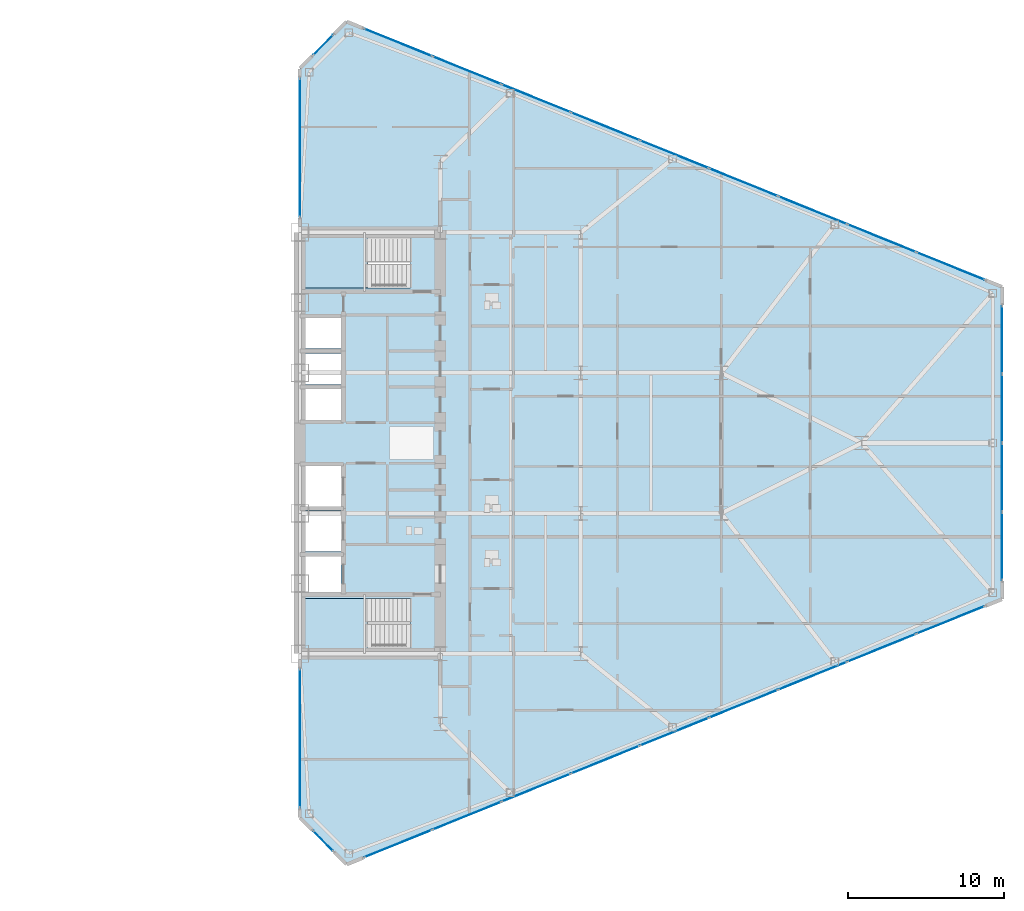
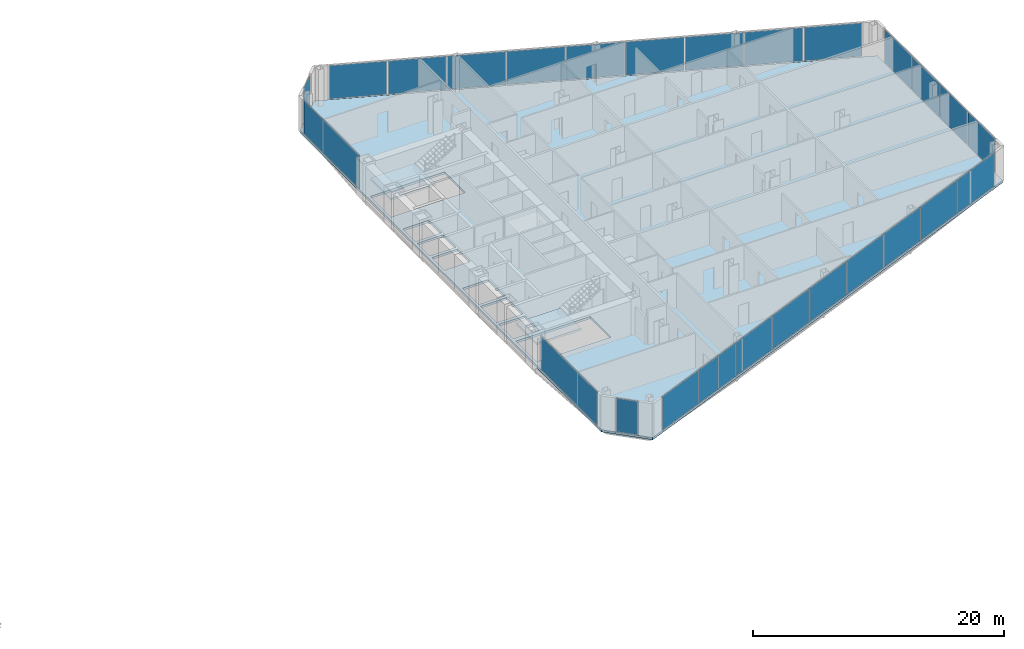
# One storey, part 16 of 25: 26 plates, 3 slabs, 9 elements without a shape of their own.
"""IFC4 building model written with IfcOpenShell, lengths in metres."""

from ifc_helpers import new_model, si_unit, direction, frame, origin, origin_2d, place, context, subcontext, project, spatial, polyline, rectangle, outline, extrude, source, transform, mapped, material, layer, layer_set, type_object, type_shapes, element, aggregate, save


model = new_model("IFC4")

# Units and contexts
model_context = context("Model", 3, precision=1e-05, world=origin(), true_north=direction((0.0, 1.0)))
body_context = subcontext(model_context, "Body", "Model", "MODEL_VIEW")
ifc_project = project(units=[si_unit("LENGTHUNIT", "METRE"), si_unit("AREAUNIT", "SQUARE_METRE"), si_unit("VOLUMEUNIT", "CUBIC_METRE"), si_unit("PLANEANGLEUNIT", "RADIAN"), si_unit("MASSUNIT", "GRAM", prefix="KILO")], contexts=[model_context])

# Site, building, storey
site_placement = place(None, origin())
site = spatial("IfcSite", under=ifc_project, at=site_placement, CompositionType="ELEMENT")
building_placement = place(site_placement, origin())
building = spatial("IfcBuilding", under=site, at=building_placement, Name="Seokmaru Belvedere", CompositionType="ELEMENT")
storey_placement = place(building_placement, frame((0.0, 0.0, 33.300048828125)))
storey = spatial("IfcBuildingStorey", under=building, at=storey_placement, Name="L08", CompositionType="ELEMENT", Elevation=33.300048828125)

# Stair, slab
ifc_material_1 = material(Name="Concrete C40 (40 MPa)", Category="concrete")
stair_type = type_object("IfcStairType", Name="Typical Tower Core Dog-Leg Stair 3600", PredefinedType="TWO_STRAIGHT_RUN_STAIR", material=ifc_material_1)
stair_1_placement = place(storey_placement, origin())
stair_1 = element("IfcStair", 1, at=stair_1_placement, inside=storey, type_object=stair_type, Name="L08 Special Escape Stair ST-E1", PredefinedType="TWO_STRAIGHT_RUN_STAIR")
ifc_layer_1 = layer(ifc_material_1, 0.199951171875)
ifc_layer_set_1 = layer_set([ifc_layer_1], Name="Concrete C40 (40 MPa)")
slab_type_1 = type_object("IfcSlabType", Name="Reinforced Concrete Stair Landing Slab 200", PredefinedType="LANDING", material=ifc_layer_set_1)
slab_1_placement = place(storey_placement, frame((0.0, 0.0, 1.599853515625)))
slab_1 = element("IfcSlab", 2, at=slab_1_placement, type_object=slab_type_1, Name="ST-E1 landing 1", PredefinedType="LANDING", context=body_context, shape_type="SweptSolid", body=[
    extrude(outline(polyline([(27.760009765625, -13.239990234375), (31.8798828125, -13.239990234375), (31.8798828125, -9.949951171875), (27.760009765625, -9.949951171875), (27.760009765625, -13.239990234375)])), origin(), (0.0, 0.0, 1.0), 0.2001953125),
])
aggregate(stair_1, [slab_1])

stair_2_placement = place(storey_placement, origin())
stair_2 = element("IfcStair", 3, at=stair_2_placement, inside=storey, type_object=stair_type, Name="L08 Special Escape Stair ST-E2", PredefinedType="TWO_STRAIGHT_RUN_STAIR")
slab_2_placement = place(storey_placement, frame((0.0, 0.0, 1.599853515625)))
slab_2 = element("IfcSlab", 4, at=slab_2_placement, type_object=slab_type_1, Name="ST-E2 landing 1", PredefinedType="LANDING", context=body_context, shape_type="SweptSolid", body=[
    extrude(outline(polyline([(27.760009765625, 9.949951171875), (31.8798828125, 9.949951171875), (31.8798828125, 13.239990234375), (27.760009765625, 13.239990234375), (27.760009765625, 9.949951171875)])), origin(), (0.0, 0.0, 1.0), 0.2001953125),
])
aggregate(stair_2, [slab_2])

# Slab
ifc_layer_2 = layer(ifc_material_1, 0.219970703125)
ifc_layer_set_2 = layer_set([ifc_layer_2], Name="Concrete C40 (40 MPa)")
slab_type_2 = type_object("IfcSlabType", Name="Typical Tower Composite Floor Slab 220", PredefinedType="FLOOR", material=ifc_layer_set_2)
slab_3_placement = place(storey_placement, frame((0.0, 0.0, -0.219970703125)))
element("IfcSlab", 5, at=slab_3_placement, inside=storey, type_object=slab_type_2, Name="L08 East Leg Floor Slab", PredefinedType="FLOOR", context=body_context, shape_type="SweptSolid", body=[
    extrude(outline(polyline([(30.5, -27.0), (72.5, -10.0), (72.5, 10.0), (30.5, 27.0), (27.5, 24.0), (27.5, -24.0), (30.5, -27.0)]), holes=[polyline([(27.75, -13.25), (34.60009765625, -13.25), (34.60009765625, -9.949951171875), (27.75, -9.949951171875), (27.75, -13.25)]), polyline([(27.75, 9.949951171875), (34.60009765625, 9.949951171875), (34.60009765625, 13.25), (27.75, 13.25), (27.75, 9.949951171875)]), polyline([(27.75, -9.550048828125), (30.14990234375, -9.550048828125), (30.14990234375, -7.25), (27.75, -7.25), (27.75, -9.550048828125)]), polyline([(27.75, -6.949951171875), (30.14990234375, -6.949951171875), (30.14990234375, -4.35009765625), (27.75, -4.35009765625), (27.75, -6.949951171875)]), polyline([(27.75, -4.050048828125), (30.14990234375, -4.050048828125), (30.14990234375, -1.449951171875), (27.75, -1.449951171875), (27.75, -4.050048828125)]), polyline([(27.75, 1.449951171875), (30.14990234375, 1.449951171875), (30.14990234375, 3.449951171875), (27.75, 3.449951171875), (27.75, 1.449951171875)]), polyline([(27.75, 3.75), (30.14990234375, 3.75), (30.14990234375, 5.75), (27.75, 5.75), (27.75, 3.75)]), polyline([(27.75, 6.050048828125), (30.14990234375, 6.050048828125), (30.14990234375, 8.050048828125), (27.75, 8.050048828125), (27.75, 6.050048828125)])]), origin(), (0.0, 0.0, 1.0), 0.219970703125),
])

# Curtain wall, plate
ifc_material_2 = material(Name="Bronze Triple Insulating Glass", Category="glass")
ifc_layer_3 = layer(ifc_material_2, 0.2099609375)
ifc_layer_set_3 = layer_set([ifc_layer_3], Name="Bronze Triple Insulating Glass")
curtain_wall_type = type_object("IfcCurtainWallType", Name="Low-Rise Faceted Crystal Curtain Wall System CW-2", PredefinedType="NOTDEFINED", material=ifc_layer_set_3)
curtain_wall_1_placement = place(storey_placement, origin())
curtain_wall_1 = element("IfcCurtainWall", 6, at=curtain_wall_1_placement, inside=storey, type_object=curtain_wall_type, Name="L08 Curtain Wall ESP_1", PredefinedType="NOTDEFINED")
ifc_layer_4 = layer(ifc_material_2, 0.035888671875)
ifc_layer_set_4 = layer_set([ifc_layer_4], Name="Bronze Triple Insulating Glass")
plate_type = type_object("IfcPlateType", Name="Bronze Triple Vision Glazing Panel 36", PredefinedType="CURTAIN_PANEL", material=ifc_layer_set_4)
shared_shape_1 = source(origin(), body_context, "Body", "SweptSolid", [
    extrude(rectangle(XDim=8.85009765625, YDim=0.035888671875, at=origin_2d()), origin(), (0.0, 0.0, 1.0), 3.239990234375),
])
plate_1_placement = place(storey_placement, frame((27.5, -18.929931640625, 0.06982421875), z_axis=(0.0, 0.0, 1.0), x_axis=(0.0, -1.0, 0.0)))
plate_1 = element("IfcPlate", 7, at=plate_1_placement, type_object=plate_type, Name="CW:L08:ESP_1 Glazing Panel 1-1", PredefinedType="CURTAIN_PANEL", context=body_context, shape_type="MappedRepresentation", body=[
    mapped(shared_shape_1, transform((0.0, 0.0, 0.0), scale=1.0)),
])
aggregate(curtain_wall_1, [plate_1])

curtain_wall_2_placement = place(storey_placement, origin())
curtain_wall_2 = element("IfcCurtainWall", 8, at=curtain_wall_2_placement, inside=storey, type_object=curtain_wall_type, Name="L08 Curtain Wall ESP_2", PredefinedType="NOTDEFINED")
plate_2_placement = place(storey_placement, frame((27.5, 18.929931640625, 0.06982421875), z_axis=(0.0, 0.0, 1.0), x_axis=(0.0, -1.0, 0.0)))
plate_2 = element("IfcPlate", 9, at=plate_2_placement, type_object=plate_type, Name="CW:L08:ESP_2 Glazing Panel 1-1", PredefinedType="CURTAIN_PANEL", context=body_context, shape_type="MappedRepresentation", body=[
    mapped(shared_shape_1, transform((0.0, 0.0, 0.0), scale=1.0)),
])
aggregate(curtain_wall_2, [plate_2])

curtain_wall_3_placement = place(storey_placement, origin())
curtain_wall_3 = element("IfcCurtainWall", 10, at=curtain_wall_3_placement, inside=storey, type_object=curtain_wall_type, Name="L08 Curtain Wall EF4", PredefinedType="NOTDEFINED")
shared_shape_2 = source(origin(), body_context, "Body", "SweptSolid", [
    extrude(rectangle(XDim=1.79248046875, YDim=0.035888671875, at=origin_2d()), origin(), (0.0, 0.0, 1.0), 3.239990234375),
])
plate_3_placement = place(storey_placement, frame((29.0, 25.5, 0.06982421875), z_axis=(0.0, 0.0, 1.0), x_axis=(-0.707106781187, -0.707106781187, 0.0)))
plate_3 = element("IfcPlate", 11, at=plate_3_placement, type_object=plate_type, Name="CW:L08:EF4 Glazing Panel 1-1", PredefinedType="CURTAIN_PANEL", context=body_context, shape_type="MappedRepresentation", body=[
    mapped(shared_shape_2, transform((0.0, 0.0, 0.0), scale=1.0)),
])
aggregate(curtain_wall_3, [plate_3])

curtain_wall_4_placement = place(storey_placement, origin())
curtain_wall_4 = element("IfcCurtainWall", 12, at=curtain_wall_4_placement, inside=storey, type_object=curtain_wall_type, Name="L08 Curtain Wall EF6", PredefinedType="NOTDEFINED")
plate_4_placement = place(storey_placement, frame((29.0, -25.5, 0.06982421875), z_axis=(0.0, 0.0, 1.0), x_axis=(0.707106781187, -0.707106781187, 0.0)))
plate_4 = element("IfcPlate", 13, at=plate_4_placement, type_object=plate_type, Name="CW:L08:EF6 Glazing Panel 1-1", PredefinedType="CURTAIN_PANEL", context=body_context, shape_type="MappedRepresentation", body=[
    mapped(shared_shape_2, transform((0.0, 0.0, 0.0), scale=1.0)),
])
aggregate(curtain_wall_4, [plate_4])

# Curtain wall, plates
curtain_wall_5_placement = place(storey_placement, origin())
curtain_wall_5 = element("IfcCurtainWall", 14, at=curtain_wall_5_placement, inside=storey, type_object=curtain_wall_type, Name="L08 Curtain Wall EF1", PredefinedType="NOTDEFINED")
shared_shape_3 = source(origin(), body_context, "Body", "SweptSolid", [
    extrude(rectangle(XDim=4.66650390625, YDim=0.035888671875, at=origin_2d()), origin(), (0.0, 0.0, 1.0), 3.239990234375),
])
plate_5_placement = place(storey_placement, frame((33.79833984375, -25.6650390625, 0.06982421875), z_axis=(0.0, 0.0, 1.0), x_axis=(0.926946989637, 0.375192321888, 0.0)))
plate_5 = element("IfcPlate", 15, at=plate_5_placement, type_object=plate_type, Name="CW:L08:EF1 Glazing Panel 1-1", PredefinedType="CURTAIN_PANEL", context=body_context, shape_type="MappedRepresentation", body=[
    mapped(shared_shape_3, transform((0.0, 0.0, 0.0), scale=1.0)),
])
plate_6_placement = place(storey_placement, frame((69.20166015625, -11.3349609375, 0.06982421875), z_axis=(0.0, 0.0, 1.0), x_axis=(0.926946989637, 0.375192321888, 0.0)))
plate_6 = element("IfcPlate", 16, at=plate_6_placement, type_object=plate_type, Name="CW:L08:EF1 Glazing Panel 9-1", PredefinedType="CURTAIN_PANEL", context=body_context, shape_type="MappedRepresentation", body=[
    mapped(shared_shape_3, transform((0.0, 0.0, 0.0), scale=1.0)),
])

curtain_wall_6_placement = place(storey_placement, origin())
curtain_wall_6 = element("IfcCurtainWall", 17, at=curtain_wall_6_placement, inside=storey, type_object=curtain_wall_type, Name="L08 Curtain Wall EF3", PredefinedType="NOTDEFINED")
plate_7_placement = place(storey_placement, frame((69.20166015625, 11.3349609375, 0.06982421875), z_axis=(0.0, 0.0, 1.0), x_axis=(-0.926946989637, 0.375192321888, 0.0)))
plate_7 = element("IfcPlate", 18, at=plate_7_placement, type_object=plate_type, Name="CW:L08:EF3 Glazing Panel 1-1", PredefinedType="CURTAIN_PANEL", context=body_context, shape_type="MappedRepresentation", body=[
    mapped(shared_shape_3, transform((0.0, 0.0, 0.0), scale=1.0)),
])
plate_8_placement = place(storey_placement, frame((33.79833984375, 25.6650390625, 0.06982421875), z_axis=(0.0, 0.0, 1.0), x_axis=(-0.926946989637, 0.375192321888, 0.0)))
plate_8 = element("IfcPlate", 19, at=plate_8_placement, type_object=plate_type, Name="CW:L08:EF3 Glazing Panel 9-1", PredefinedType="CURTAIN_PANEL", context=body_context, shape_type="MappedRepresentation", body=[
    mapped(shared_shape_3, transform((0.0, 0.0, 0.0), scale=1.0)),
])

# Plate
shared_shape_4 = source(origin(), body_context, "Body", "SweptSolid", [
    extrude(rectangle(XDim=4.703857421875, YDim=0.035888671875, at=origin_2d()), origin(), (0.0, 0.0, 1.0), 3.239990234375),
])
plate_9_placement = place(storey_placement, frame((38.210693359375, -23.87890625, 0.06982421875), z_axis=(0.0, 0.0, 1.0), x_axis=(0.926946989637, 0.375192321888, 0.0)))
plate_9 = element("IfcPlate", 20, at=plate_9_placement, type_object=plate_type, Name="CW:L08:EF1 Glazing Panel 2-1", PredefinedType="CURTAIN_PANEL", context=body_context, shape_type="MappedRepresentation", body=[
    mapped(shared_shape_4, transform((0.0, 0.0, 0.0), scale=1.0)),
])

plate_10_placement = place(storey_placement, frame((42.640380859375, -22.0859375, 0.06982421875), z_axis=(0.0, 0.0, 1.0), x_axis=(0.926946989637, 0.375192321888, 0.0)))
plate_10 = element("IfcPlate", 21, at=plate_10_placement, type_object=plate_type, Name="CW:L08:EF1 Glazing Panel 3-1", PredefinedType="CURTAIN_PANEL", context=body_context, shape_type="MappedRepresentation", body=[
    mapped(shared_shape_4, transform((0.0, 0.0, 0.0), scale=1.0)),
])

plate_11_placement = place(storey_placement, frame((47.0703125, -20.29296875, 0.06982421875), z_axis=(0.0, 0.0, 1.0), x_axis=(0.926946989637, 0.375192321888, 0.0)))
plate_11 = element("IfcPlate", 22, at=plate_11_placement, type_object=plate_type, Name="CW:L08:EF1 Glazing Panel 4-1", PredefinedType="CURTAIN_PANEL", context=body_context, shape_type="MappedRepresentation", body=[
    mapped(shared_shape_4, transform((0.0, 0.0, 0.0), scale=1.0)),
])

plate_12_placement = place(storey_placement, frame((51.5, -18.5, 0.06982421875), z_axis=(0.0, 0.0, 1.0), x_axis=(0.926946989637, 0.375192321888, 0.0)))
plate_12 = element("IfcPlate", 23, at=plate_12_placement, type_object=plate_type, Name="CW:L08:EF1 Glazing Panel 5-1", PredefinedType="CURTAIN_PANEL", context=body_context, shape_type="MappedRepresentation", body=[
    mapped(shared_shape_4, transform((0.0, 0.0, 0.0), scale=1.0)),
])

plate_13_placement = place(storey_placement, frame((55.9296875, -16.70703125, 0.06982421875), z_axis=(0.0, 0.0, 1.0), x_axis=(0.926946989637, 0.375192321888, 0.0)))
plate_13 = element("IfcPlate", 24, at=plate_13_placement, type_object=plate_type, Name="CW:L08:EF1 Glazing Panel 6-1", PredefinedType="CURTAIN_PANEL", context=body_context, shape_type="MappedRepresentation", body=[
    mapped(shared_shape_4, transform((0.0, 0.0, 0.0), scale=1.0)),
])

plate_14_placement = place(storey_placement, frame((60.359619140625, -14.9140625, 0.06982421875), z_axis=(0.0, 0.0, 1.0), x_axis=(0.926946989637, 0.375192321888, 0.0)))
plate_14 = element("IfcPlate", 25, at=plate_14_placement, type_object=plate_type, Name="CW:L08:EF1 Glazing Panel 7-1", PredefinedType="CURTAIN_PANEL", context=body_context, shape_type="MappedRepresentation", body=[
    mapped(shared_shape_4, transform((0.0, 0.0, 0.0), scale=1.0)),
])

plate_15_placement = place(storey_placement, frame((64.789306640625, -13.12109375, 0.06982421875), z_axis=(0.0, 0.0, 1.0), x_axis=(0.926946989637, 0.375192321888, 0.0)))
plate_15 = element("IfcPlate", 26, at=plate_15_placement, type_object=plate_type, Name="CW:L08:EF1 Glazing Panel 8-1", PredefinedType="CURTAIN_PANEL", context=body_context, shape_type="MappedRepresentation", body=[
    mapped(shared_shape_4, transform((0.0, 0.0, 0.0), scale=1.0)),
])

aggregate(curtain_wall_5, [plate_5, plate_9, plate_10, plate_11, plate_12, plate_13, plate_14, plate_15, plate_6])

plate_16_placement = place(storey_placement, frame((64.789306640625, 13.12109375, 0.06982421875), z_axis=(0.0, 0.0, 1.0), x_axis=(-0.926946989637, 0.375192321888, 0.0)))
plate_16 = element("IfcPlate", 27, at=plate_16_placement, type_object=plate_type, Name="CW:L08:EF3 Glazing Panel 2-1", PredefinedType="CURTAIN_PANEL", context=body_context, shape_type="MappedRepresentation", body=[
    mapped(shared_shape_4, transform((0.0, 0.0, 0.0), scale=1.0)),
])

plate_17_placement = place(storey_placement, frame((60.359619140625, 14.9140625, 0.06982421875), z_axis=(0.0, 0.0, 1.0), x_axis=(-0.926946989637, 0.375192321888, 0.0)))
plate_17 = element("IfcPlate", 28, at=plate_17_placement, type_object=plate_type, Name="CW:L08:EF3 Glazing Panel 3-1", PredefinedType="CURTAIN_PANEL", context=body_context, shape_type="MappedRepresentation", body=[
    mapped(shared_shape_4, transform((0.0, 0.0, 0.0), scale=1.0)),
])

plate_18_placement = place(storey_placement, frame((55.9296875, 16.70703125, 0.06982421875), z_axis=(0.0, 0.0, 1.0), x_axis=(-0.926946989637, 0.375192321888, 0.0)))
plate_18 = element("IfcPlate", 29, at=plate_18_placement, type_object=plate_type, Name="CW:L08:EF3 Glazing Panel 4-1", PredefinedType="CURTAIN_PANEL", context=body_context, shape_type="MappedRepresentation", body=[
    mapped(shared_shape_4, transform((0.0, 0.0, 0.0), scale=1.0)),
])

plate_19_placement = place(storey_placement, frame((51.5, 18.5, 0.06982421875), z_axis=(0.0, 0.0, 1.0), x_axis=(-0.926946989637, 0.375192321888, 0.0)))
plate_19 = element("IfcPlate", 30, at=plate_19_placement, type_object=plate_type, Name="CW:L08:EF3 Glazing Panel 5-1", PredefinedType="CURTAIN_PANEL", context=body_context, shape_type="MappedRepresentation", body=[
    mapped(shared_shape_4, transform((0.0, 0.0, 0.0), scale=1.0)),
])

plate_20_placement = place(storey_placement, frame((47.0703125, 20.29296875, 0.06982421875), z_axis=(0.0, 0.0, 1.0), x_axis=(-0.926946989637, 0.375192321888, 0.0)))
plate_20 = element("IfcPlate", 31, at=plate_20_placement, type_object=plate_type, Name="CW:L08:EF3 Glazing Panel 6-1", PredefinedType="CURTAIN_PANEL", context=body_context, shape_type="MappedRepresentation", body=[
    mapped(shared_shape_4, transform((0.0, 0.0, 0.0), scale=1.0)),
])

plate_21_placement = place(storey_placement, frame((42.640380859375, 22.0859375, 0.06982421875), z_axis=(0.0, 0.0, 1.0), x_axis=(-0.926946989637, 0.375192321888, 0.0)))
plate_21 = element("IfcPlate", 32, at=plate_21_placement, type_object=plate_type, Name="CW:L08:EF3 Glazing Panel 7-1", PredefinedType="CURTAIN_PANEL", context=body_context, shape_type="MappedRepresentation", body=[
    mapped(shared_shape_4, transform((0.0, 0.0, 0.0), scale=1.0)),
])

plate_22_placement = place(storey_placement, frame((38.210693359375, 23.87890625, 0.06982421875), z_axis=(0.0, 0.0, 1.0), x_axis=(-0.926946989637, 0.375192321888, 0.0)))
plate_22 = element("IfcPlate", 33, at=plate_22_placement, type_object=plate_type, Name="CW:L08:EF3 Glazing Panel 8-1", PredefinedType="CURTAIN_PANEL", context=body_context, shape_type="MappedRepresentation", body=[
    mapped(shared_shape_4, transform((0.0, 0.0, 0.0), scale=1.0)),
])

aggregate(curtain_wall_6, [plate_7, plate_16, plate_17, plate_18, plate_19, plate_20, plate_21, plate_22, plate_8])

# Curtain wall, plates
curtain_wall_7_placement = place(storey_placement, origin())
curtain_wall_7 = element("IfcCurtainWall", 34, at=curtain_wall_7_placement, inside=storey, type_object=curtain_wall_type, Name="L08 Curtain Wall EF2", PredefinedType="NOTDEFINED")
shared_shape_5 = source(origin(), body_context, "Body", "SweptSolid", [
    extrude(rectangle(XDim=4.3125, YDim=0.035888671875, at=origin_2d()), origin(), (0.0, 0.0, 1.0), 3.239990234375),
])
plate_23_placement = place(storey_placement, frame((72.5, -6.61865234375, 0.06982421875), z_axis=(0.0, 0.0, 1.0), x_axis=(0.0, 1.0, 0.0)))
plate_23 = element("IfcPlate", 35, at=plate_23_placement, type_object=plate_type, Name="CW:L08:EF2 Glazing Panel 1-1", PredefinedType="CURTAIN_PANEL", context=body_context, shape_type="MappedRepresentation", body=[
    mapped(shared_shape_5, transform((0.0, 0.0, 0.0), scale=1.0)),
])
plate_24_placement = place(storey_placement, frame((72.5, 6.61865234375, 0.06982421875), z_axis=(0.0, 0.0, 1.0), x_axis=(0.0, 1.0, 0.0)))
plate_24 = element("IfcPlate", 36, at=plate_24_placement, type_object=plate_type, Name="CW:L08:EF2 Glazing Panel 4-1", PredefinedType="CURTAIN_PANEL", context=body_context, shape_type="MappedRepresentation", body=[
    mapped(shared_shape_5, transform((0.0, 0.0, 0.0), scale=1.0)),
])
shared_shape_6 = source(origin(), body_context, "Body", "SweptSolid", [
    extrude(rectangle(XDim=4.35009765625, YDim=0.035888671875, at=origin_2d()), origin(), (0.0, 0.0, 1.0), 3.239990234375),
])
type_shapes(plate_type, [shared_shape_1, shared_shape_2, shared_shape_3, shared_shape_4, shared_shape_5, shared_shape_6])
plate_25_placement = place(storey_placement, frame((72.5, -2.21240234375, 0.06982421875), z_axis=(0.0, 0.0, 1.0), x_axis=(0.0, 1.0, 0.0)))
plate_25 = element("IfcPlate", 37, at=plate_25_placement, type_object=plate_type, Name="CW:L08:EF2 Glazing Panel 2-1", PredefinedType="CURTAIN_PANEL", context=body_context, shape_type="MappedRepresentation", body=[
    mapped(shared_shape_6, transform((0.0, 0.0, 0.0), scale=1.0)),
])
plate_26_placement = place(storey_placement, frame((72.5, 2.21240234375, 0.06982421875), z_axis=(0.0, 0.0, 1.0), x_axis=(0.0, 1.0, 0.0)))
plate_26 = element("IfcPlate", 38, at=plate_26_placement, type_object=plate_type, Name="CW:L08:EF2 Glazing Panel 3-1", PredefinedType="CURTAIN_PANEL", context=body_context, shape_type="MappedRepresentation", body=[
    mapped(shared_shape_6, transform((0.0, 0.0, 0.0), scale=1.0)),
])
aggregate(curtain_wall_7, [plate_23, plate_25, plate_26, plate_24])

save(model, "model.ifc")
